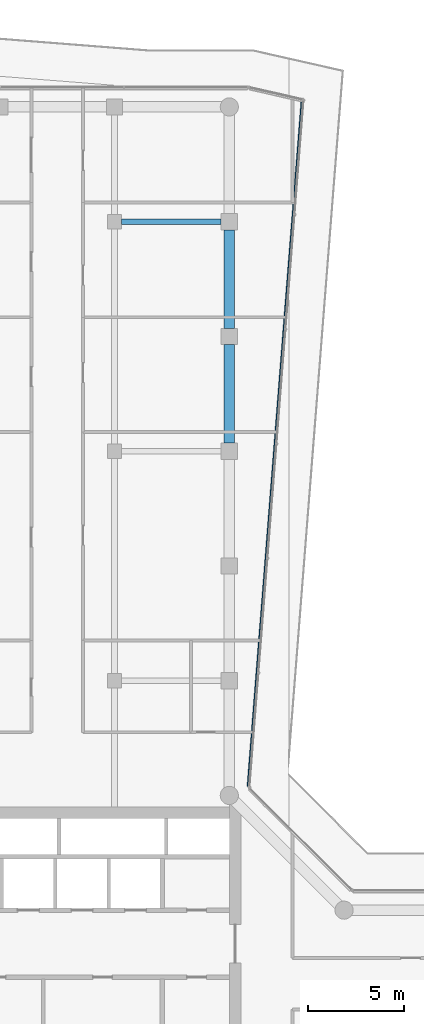
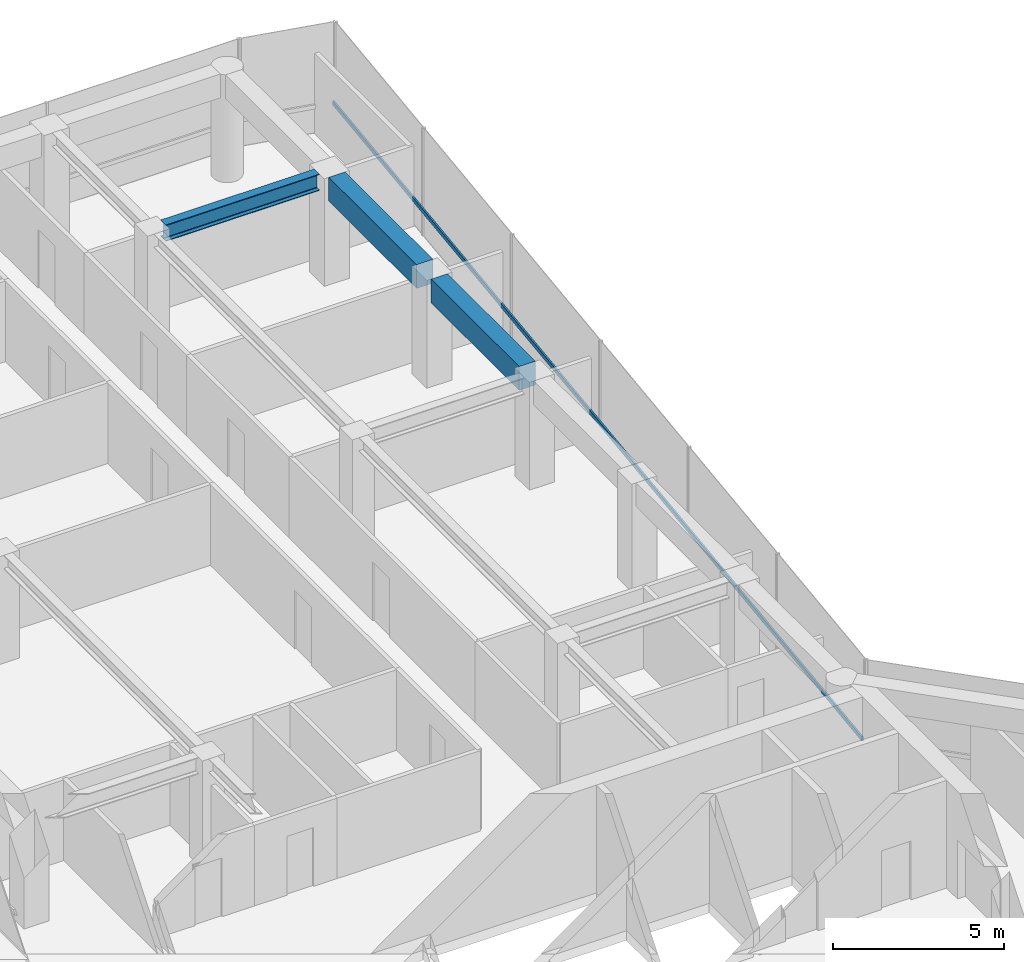
# One storey, part 14 of 22: 3 beams, 1 member, 1 element without a shape of its own.
"""IFC4 building model written with IfcOpenShell, lengths in metres."""

from ifc_helpers import new_model, si_unit, direction, frame, origin, origin_2d, place, context, subcontext, project, spatial, rectangle, i_section, extrude, material, layer, layer_set, material_profile, profile_set, type_object, element, aggregate, save


model = new_model("IFC4")

# Units and contexts
model_context = context("Model", 3, precision=1e-05, world=origin(), true_north=direction((0.0, 1.0)))
body_context = subcontext(model_context, "Body", "Model", "MODEL_VIEW")
ifc_project = project(units=[si_unit("LENGTHUNIT", "METRE"), si_unit("AREAUNIT", "SQUARE_METRE"), si_unit("VOLUMEUNIT", "CUBIC_METRE"), si_unit("PLANEANGLEUNIT", "RADIAN"), si_unit("MASSUNIT", "GRAM", prefix="KILO")], contexts=[model_context])

# Site, building, storey
site_placement = place(None, origin())
site = spatial("IfcSite", under=ifc_project, at=site_placement, CompositionType="ELEMENT")
building_placement = place(site_placement, origin())
building = spatial("IfcBuilding", under=site, at=building_placement, Name="Welwitschia Terrace Campus", CompositionType="ELEMENT")
storey_placement = place(building_placement, frame((0.0, 0.0, 150.800048828125)))
storey = spatial("IfcBuildingStorey", under=building, at=storey_placement, Name="L33", CompositionType="ELEMENT", Elevation=150.800048828125)

# Beams
ifc_material_1 = material(Name="Steel S355", Category="steel")
ifc_material_profile_1 = material_profile(ifc_material_1, i_section(OverallWidth=0.300048828125, OverallDepth=0.590087890625, WebThickness=0.012939453125, FlangeThickness=0.02490234375, FilletRadius=0.027099609375, at=origin_2d()))
ifc_profile_set_1 = profile_set([ifc_material_profile_1], Name="Steel S355")
beam_type_1 = type_object("IfcBeamType", Name="Primary beam HE 600 A", PredefinedType="BEAM", material=ifc_profile_set_1)
beam_placement = place(storey_placement, frame((23.574462890625, 56.0, 3.554931640625), z_axis=(-1.0, 0.0, 0.0), x_axis=(0.0, -1.0, 0.0)))
element("IfcBeam", 1, at=beam_placement, inside=storey, type_object=beam_type_1, Name="Primary beam PB4", PredefinedType="BEAM", context=body_context, shape_type="SweptSolid", body=[
    extrude(i_section(OverallWidth=0.300048828125, OverallDepth=0.590087890625, WebThickness=0.012939453125, FlangeThickness=0.02490234375, FilletRadius=0.027099609375, at=origin_2d()), origin(), (0.0, 0.0, 1.0), 5.198974609375),
])
ifc_material_2 = material(Name="Concrete C50/60", Category="concrete")
ifc_material_profile_2 = material_profile(ifc_material_2, rectangle(XDim=0.550048828125, YDim=0.85009765625, at=origin_2d()))
ifc_profile_set_2 = profile_set([ifc_material_profile_2], Name="Concrete C50/60")
beam_type_2 = type_object("IfcBeamType", Name="Ring spandrel 550x850", PredefinedType="SPANDREL", material=ifc_profile_set_2)
for number, where, z_axis, x_axis, name in (
    (2, (24.0, 44.425537109375, 3.425048828125), (0.0, 1.0, 0.0), (-1.0, 0.0, 0.0), "Spandrel SP3"),
    (3, (24.0, 50.425537109375, 3.425048828125), (0.0, 1.0, 0.0), (-1.0, 0.0, 0.0), "Spandrel SP3"),
):
    element("IfcBeam", number, at=place(storey_placement, frame(where, z_axis=z_axis, x_axis=x_axis)), inside=storey, type_object=beam_type_2, Name=name, PredefinedType="SPANDREL", context=body_context, shape_type="SweptSolid", body=[
        extrude(rectangle(XDim=0.550048828125, YDim=0.85009765625, at=origin_2d()), origin(), (0.0, 0.0, 1.0), 5.14892578125),
    ])

# Curtain wall, member
ifc_material_3 = material(Name="Bronze anodised aluminium", Category="aluminium")
ifc_layer = layer(ifc_material_3, 0.1201171875)
ifc_layer_set = layer_set([ifc_layer], Name="Bronze anodised aluminium")
curtain_wall_type = type_object("IfcCurtainWallType", Name="Curtain wall CW2 tower 6000", PredefinedType="NOTDEFINED", material=ifc_layer_set)
curtain_wall_placement = place(storey_placement, origin())
curtain_wall = element("IfcCurtainWall", 4, at=curtain_wall_placement, inside=storey, type_object=curtain_wall_type, Name="CW L33.9.0", PredefinedType="NOTDEFINED")
ifc_material_4 = material(Name="Bronze anodised aluminium", Category="aluminium")
ifc_material_profile_3 = material_profile(ifc_material_4, rectangle(XDim=0.06005859375, YDim=0.14990234375, at=origin_2d()))
ifc_profile_set_3 = profile_set([ifc_material_profile_3], Name="Bronze anodised aluminium")
member_type = type_object("IfcMemberType", Name="Transom 60x150", PredefinedType="USERDEFINED", material=ifc_profile_set_3)
member_placement = place(storey_placement, frame((24.962890625, 26.4755859375, 1.0), z_axis=(0.078461011722, 0.996917182939, 0.0), x_axis=(-0.996917182939, 0.078461011722, 0.0)))
member = element("IfcMember", 5, at=member_placement, type_object=member_type, Name="Transom L33.9.0", ObjectType="TRANSOM", PredefinedType="USERDEFINED", context=body_context, shape_type="SweptSolid", body=[
    extrude(rectangle(XDim=0.06005859375, YDim=0.14990234375, at=origin_2d()), origin(), (0.0, 0.0, 1.0), 35.9609375),
])
aggregate(curtain_wall, [member])

save(model, "model.ifc")
